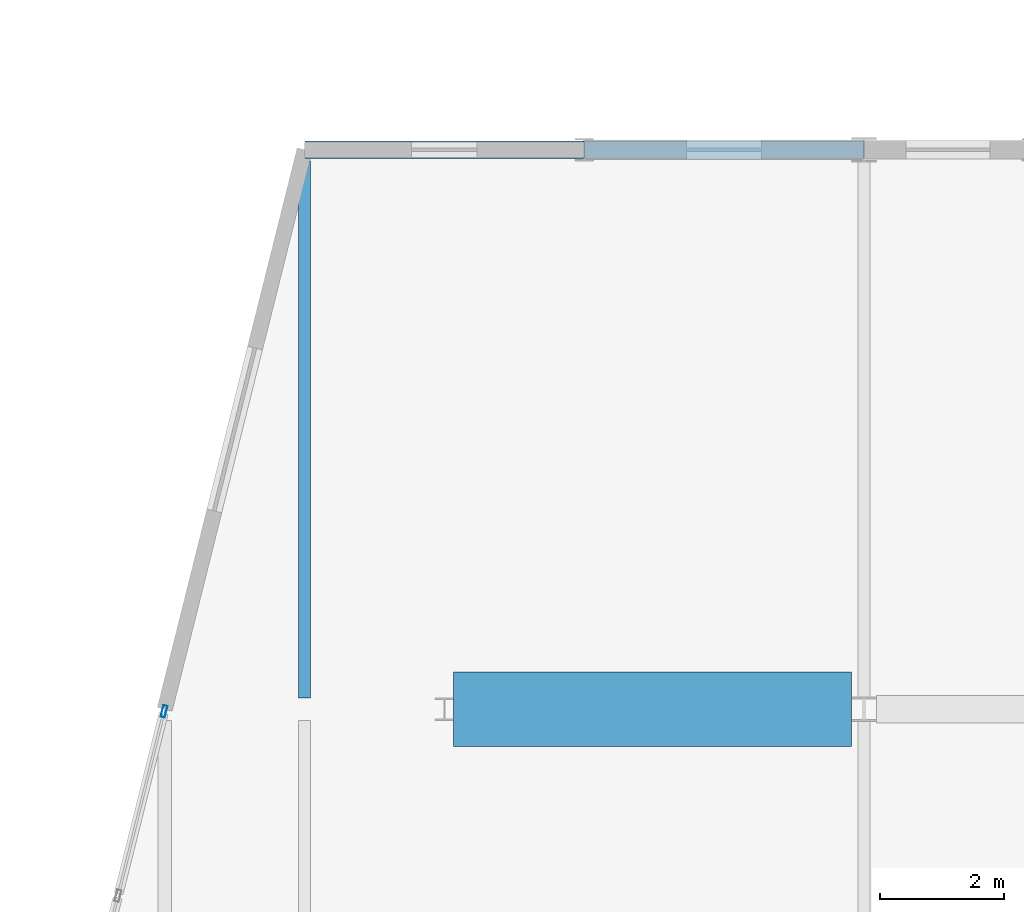
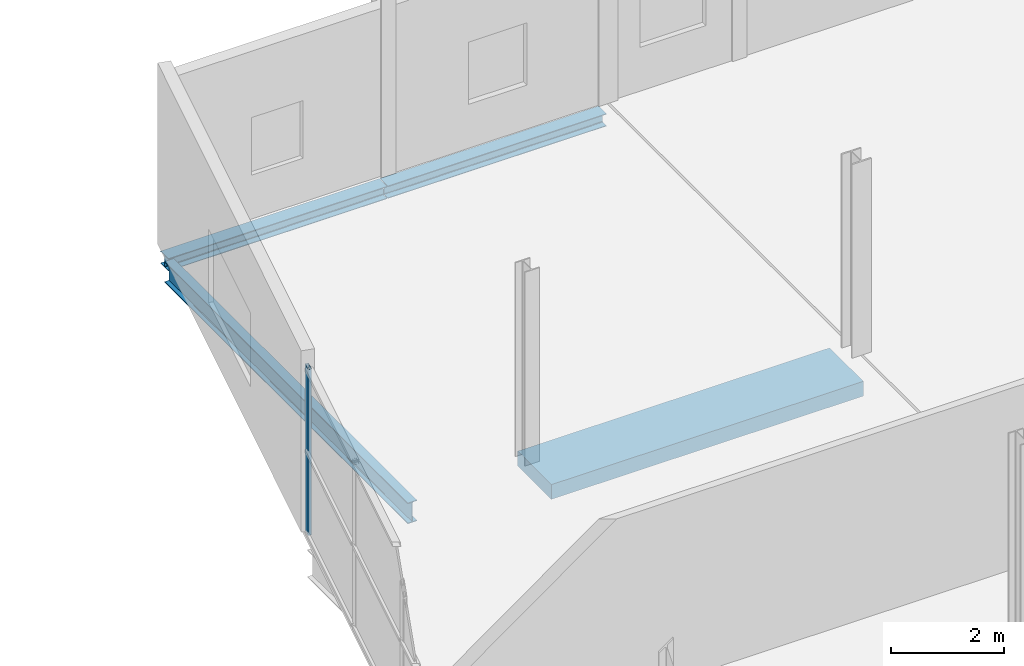
# One storey, part 96 of 132: 4 beams, 1 member, 1 element without a shape of its own.
"""IFC4 building model written with IfcOpenShell, lengths in metres."""

from ifc_helpers import new_model, si_unit, direction, frame, origin, origin_2d, place, context, subcontext, project, spatial, rectangle, hollow_rectangle, i_section, extrude, material, layer, layer_set, material_profile, profile_set, type_object, element, aggregate, save


model = new_model("IFC4")

# Units and contexts
model_context = context("Model", 3, precision=1e-05, world=origin(), true_north=direction((0.0, 1.0)))
body_context = subcontext(model_context, "Body", "Model", "MODEL_VIEW")
ifc_project = project(units=[si_unit("LENGTHUNIT", "METRE"), si_unit("AREAUNIT", "SQUARE_METRE"), si_unit("VOLUMEUNIT", "CUBIC_METRE"), si_unit("PLANEANGLEUNIT", "RADIAN"), si_unit("MASSUNIT", "GRAM", prefix="KILO")], contexts=[model_context])

# Site, building, storey
site_placement = place(None, origin())
site = spatial("IfcSite", under=ifc_project, at=site_placement, CompositionType="ELEMENT")
building_placement = place(site_placement, origin())
building = spatial("IfcBuilding", under=site, at=building_placement, Name="Deido Ridge Mobility Hub", CompositionType="ELEMENT")
storey_placement = place(building_placement, frame((0.0, 0.0, 8.39990234375)))
storey = spatial("IfcBuildingStorey", under=building, at=storey_placement, Name="L02", CompositionType="ELEMENT", Elevation=8.39990234375)

# Beams
ifc_material_1 = material(Name="Steel S355J2 EN 10025-2", Category="steel")
ifc_material_profile_1 = material_profile(ifc_material_1, i_section(OverallWidth=0.18994140625, OverallDepth=0.449951171875, WebThickness=0.009521484375, FlangeThickness=0.0146484375, FilletRadius=0.02099609375, at=origin_2d()), Name="IPE 450")
ifc_profile_set_1 = profile_set([ifc_material_profile_1], Name="Steel S355J2 EN 10025-2")
beam_type_1 = type_object("IfcBeamType", Name="BM-IPE450", PredefinedType="BEAM", material=ifc_profile_set_1)
beam_1_placement = place(storey_placement, frame((135.0, 63.179931640625, -0.47998046875), z_axis=(0.0, 1.0, 0.0), x_axis=(-1.0, 0.0, 0.0)))
element("IfcBeam", 1, at=beam_1_placement, inside=storey, type_object=beam_type_1, Name="Floor beam B4", PredefinedType="BEAM", context=body_context, shape_type="SweptSolid", body=[
    extrude(i_section(OverallWidth=0.18994140625, OverallDepth=0.449951171875, WebThickness=0.009521484375, FlangeThickness=0.0146484375, FilletRadius=0.02099609375, at=origin_2d()), origin(), (0.0, 0.0, 1.0), 8.64013671875),
])
ifc_material_2 = material(Name="Precast concrete C40/50", Category="concrete")
ifc_material_profile_2 = material_profile(ifc_material_2, rectangle(XDim=1.199951171875, YDim=0.320068359375, at=origin_2d()), Name="RC HC 1200x320")
ifc_profile_set_2 = profile_set([ifc_material_profile_2], Name="Precast concrete C40/50")
beam_type_2 = type_object("IfcBeamType", Name="HC-1200X320", PredefinedType="HOLLOWCORE", material=ifc_profile_set_2)
beam_2_placement = place(storey_placement, frame((137.39990234375, 63.0, -0.414794921875), z_axis=(1.0, 0.0, 0.0), x_axis=(0.0, 1.0, 0.0)))
element("IfcBeam", 2, at=beam_2_placement, inside=storey, type_object=beam_type_2, Name="Precast hollowcore beam HC1", PredefinedType="HOLLOWCORE", context=body_context, shape_type="SweptSolid", body=[
    extrude(rectangle(XDim=1.199951171875, YDim=0.320068359375, at=origin_2d()), origin(), (0.0, 0.0, 1.0), 6.400634765625),
])

# Curtain wall, member
ifc_material_3 = material(Name="Anodised aluminium EN AW-6063 T6", Category="aluminium")
ifc_layer = layer(ifc_material_3, 0.239990234375, Name="Anodised aluminium EN AW-6063 T6")
ifc_layer_set = layer_set([ifc_layer], Name="Anodised aluminium EN AW-6063 T6")
curtain_wall_type = type_object("IfcCurtainWallType", Name="CW-UF-6", PredefinedType="USERDEFINED", material=ifc_layer_set)
curtain_wall_placement = place(storey_placement, origin())
curtain_wall = element("IfcCurtainWall", 3, at=curtain_wall_placement, inside=storey, type_object=curtain_wall_type, Name="Unitised curtain wall CW6", ObjectType="UNITISED FACADE", PredefinedType="USERDEFINED")
ifc_material_profile_3 = material_profile(ifc_material_3, hollow_rectangle(XDim=0.070068359375, YDim=0.18994140625, WallThickness=0.00390625, at=origin_2d()), Name="RHS 70x190x4")
ifc_profile_set_3 = profile_set([ifc_material_profile_3], Name="Anodised aluminium EN AW-6063 T6")
member_type = type_object("IfcMemberType", Name="MEM-MUL-70X190", PredefinedType="MULLION", material=ifc_profile_set_3)
member_placement = place(storey_placement, frame((132.741455078125, 62.966064453125, 0.0), z_axis=(0.0, 0.0, 1.0), x_axis=(-0.970142500145, 0.242535625038, 0.0)))
member = element("IfcMember", 4, at=member_placement, type_object=member_type, Name="CW6 mullion 4", PredefinedType="MULLION", context=body_context, shape_type="SweptSolid", body=[
    extrude(hollow_rectangle(XDim=0.070068359375, YDim=0.18994140625, WallThickness=0.00390625, at=origin_2d()), origin(), (0.0, 0.0, 1.0), 3.60009765625),
])
aggregate(curtain_wall, [member])

# Beams
ifc_material_profile_4 = material_profile(ifc_material_1, i_section(OverallWidth=0.280029296875, OverallDepth=0.27001953125, WebThickness=0.008056640625, FlangeThickness=0.012939453125, FilletRadius=0.02392578125, at=origin_2d()), Name="HEA 280")
ifc_profile_set_4 = profile_set([ifc_material_profile_4], Name="Steel S355J2 EN 10025-2")
beam_type_3 = type_object("IfcBeamType", Name="SPD-HEA280", PredefinedType="SPANDREL", material=ifc_profile_set_4)
beam_3_placement = place(storey_placement, frame((135.006103515625, 72.0, -0.389892578125), z_axis=(1.0, 0.0, 0.0), x_axis=(0.0, 1.0, 0.0)))
element("IfcBeam", 5, at=beam_3_placement, inside=storey, type_object=beam_type_3, Name="Floor beam SP2", PredefinedType="SPANDREL", context=body_context, shape_type="SweptSolid", body=[
    extrude(i_section(OverallWidth=0.280029296875, OverallDepth=0.27001953125, WebThickness=0.008056640625, FlangeThickness=0.012939453125, FilletRadius=0.02392578125, at=origin_2d()), origin(), (0.0, 0.0, 1.0), 4.48779296875),
])
beam_4_placement = place(storey_placement, frame((139.506103515625, 72.0, -0.389892578125), z_axis=(1.0, 0.0, 0.0), x_axis=(0.0, 1.0, 0.0)))
element("IfcBeam", 6, at=beam_4_placement, inside=storey, type_object=beam_type_3, Name="Floor beam SP2", PredefinedType="SPANDREL", context=body_context, shape_type="SweptSolid", body=[
    extrude(i_section(OverallWidth=0.280029296875, OverallDepth=0.27001953125, WebThickness=0.008056640625, FlangeThickness=0.012939453125, FilletRadius=0.02392578125, at=origin_2d()), origin(), (0.0, 0.0, 1.0), 4.485107421875),
])

save(model, "model.ifc")
